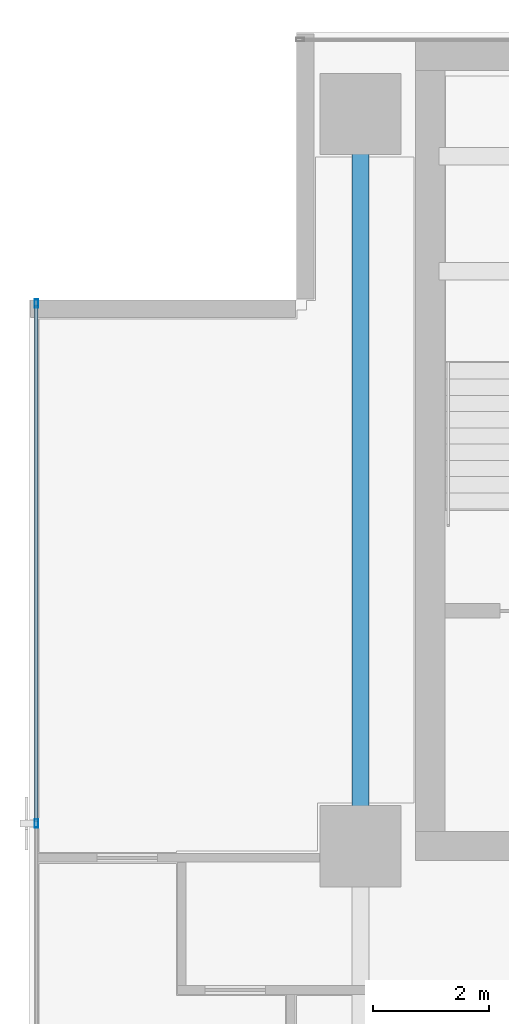
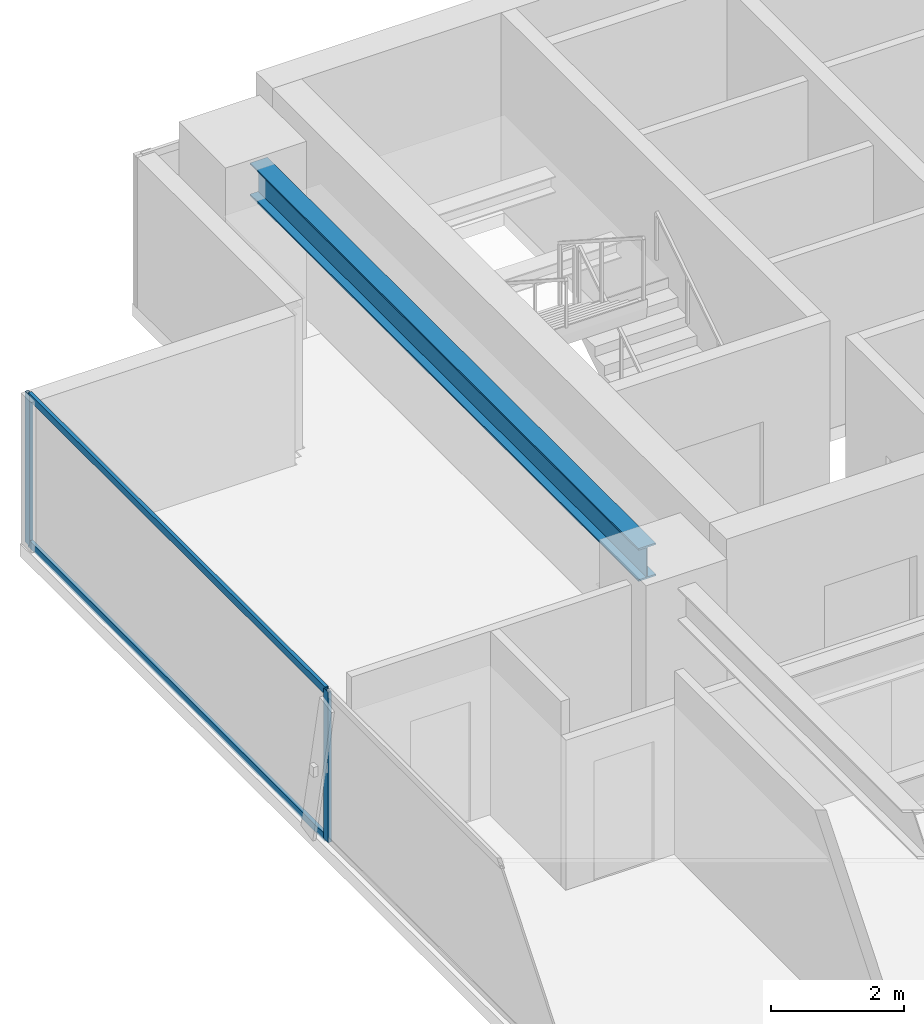
# One storey, part 9 of 26: 4 members, 1 beam, 1 element without a shape of its own.
"""IFC4 building model written with IfcOpenShell, lengths in metres."""

from ifc_helpers import new_model, si_unit, direction, frame, origin, origin_2d, place, context, subcontext, project, spatial, hollow_rectangle, i_section, extrude, source, transform, mapped, material, layer, layer_set, material_profile, profile_set, type_object, element, aggregate, save


model = new_model("IFC4")

# Units and contexts
model_context = context("Model", 3, precision=1e-05, world=origin(), true_north=direction((0.0, 1.0)))
body_context = subcontext(model_context, "Body", "Model", "MODEL_VIEW")
ifc_project = project(units=[si_unit("LENGTHUNIT", "METRE"), si_unit("AREAUNIT", "SQUARE_METRE"), si_unit("VOLUMEUNIT", "CUBIC_METRE"), si_unit("PLANEANGLEUNIT", "RADIAN"), si_unit("MASSUNIT", "GRAM", prefix="KILO")], contexts=[model_context])

# Site, building, storey
site_placement = place(None, origin())
site = spatial("IfcSite", under=ifc_project, at=site_placement, CompositionType="ELEMENT")
building_placement = place(site_placement, origin())
building = spatial("IfcBuilding", under=site, at=building_placement, Name="Sumidabori Civic Tower", CompositionType="ELEMENT")
storey_placement = place(building_placement, frame((0.0, 0.0, 250.39990234375)))
storey = spatial("IfcBuildingStorey", under=building, at=storey_placement, Name="L65", CompositionType="ELEMENT", Elevation=250.39990234375)

# Beam
ifc_material_1 = material(Name="Steel SN490", Category="steel")
ifc_material_profile_1 = material_profile(ifc_material_1, i_section(OverallWidth=0.300048828125, OverallDepth=0.60009765625, WebThickness=0.015380859375, FlangeThickness=0.030029296875, at=origin_2d()), Name="HE 600 B")
ifc_profile_set_1 = profile_set([ifc_material_profile_1], Name="Steel SN490")
beam_type = type_object("IfcBeamType", Name="BM-GIRD-600", PredefinedType="BEAM", material=ifc_profile_set_1)
shared_shape_1 = source(origin(), body_context, "Body", "SweptSolid", [
    extrude(i_section(OverallWidth=0.300048828125, OverallDepth=0.60009765625, WebThickness=0.015380859375, FlangeThickness=0.030029296875, at=origin_2d()), origin(), (0.0, 0.0, 1.0), 11.64013671875),
])
beam_placement = place(storey_placement, frame((-16.800048828125, 10.679931640625, 3.070068359375), z_axis=(0.0, 1.0, 0.0), x_axis=(-1.0, 0.0, 0.0)))
element("IfcBeam", 1, at=beam_placement, inside=storey, type_object=beam_type, Name="Primary Girder L65 GY-11", PredefinedType="BEAM", context=body_context, shape_type="MappedRepresentation", body=[
    mapped(shared_shape_1, transform((0.0, 0.0, 0.0), x_axis=(1.0, 0.0, 0.0), y_axis=(0.0, 1.0, 0.0), z_axis=(0.0, 0.0, 1.0), scale=1.0)),
])

# Curtain wall, members
ifc_material_2 = material(Name="Anodised Bronze Aluminium AW-6063-T6", Category="aluminium")
ifc_layer = layer(ifc_material_2, 0.179931640625, Name="Anodised Bronze Aluminium AW-6063-T6")
ifc_layer_set = layer_set([ifc_layer], Name="Anodised Bronze Aluminium AW-6063-T6")
curtain_wall_type = type_object("IfcCurtainWallType", Name="CW-SYS-5", PredefinedType="NOTDEFINED", material=ifc_layer_set)
curtain_wall_placement = place(storey_placement, origin())
curtain_wall = element("IfcCurtainWall", 2, at=curtain_wall_placement, inside=storey, type_object=curtain_wall_type, Name="Curtain Wall CW:L65:R10", PredefinedType="NOTDEFINED")
ifc_material_profile_2 = material_profile(ifc_material_2, hollow_rectangle(XDim=0.06005859375, YDim=0.139892578125, WallThickness=0.0048828125, at=origin_2d()), Name="ALU MULLION 140x60")
ifc_profile_set_2 = profile_set([ifc_material_profile_2], Name="Anodised Bronze Aluminium AW-6063-T6")
member_type_1 = type_object("IfcMemberType", Name="CW-MUL-140", PredefinedType="MULLION", material=ifc_profile_set_2)
shared_shape_2 = source(origin(), body_context, "Body", "SweptSolid", [
    extrude(hollow_rectangle(XDim=0.06005859375, YDim=0.139892578125, WallThickness=0.0048828125, at=origin_2d()), origin(), (0.0, 0.0, 1.0), 2.75),
])
member_1_placement = place(storey_placement, frame((-22.3798828125, 19.5400390625, 0.0), z_axis=(0.0, 0.0, 1.0), x_axis=(1.0, 0.0, 0.0)))
member_1 = element("IfcMember", 3, at=member_1_placement, type_object=member_type_1, Name="CW-5 mullion 1", PredefinedType="MULLION", context=body_context, shape_type="MappedRepresentation", body=[
    mapped(shared_shape_2, transform((0.0, 0.0, 0.0), x_axis=(1.0, 0.0, 0.0), y_axis=(0.0, 1.0, 0.0), z_axis=(0.0, 0.0, 1.0), scale=1.0)),
])
member_2_placement = place(storey_placement, frame((-22.3798828125, 10.590087890625, 0.0), z_axis=(0.0, 0.0, 1.0), x_axis=(1.0, 0.0, 0.0)))
member_2 = element("IfcMember", 4, at=member_2_placement, type_object=member_type_1, Name="CW-5 mullion 2", PredefinedType="MULLION", context=body_context, shape_type="MappedRepresentation", body=[
    mapped(shared_shape_2, transform((0.0, 0.0, 0.0), x_axis=(1.0, 0.0, 0.0), y_axis=(0.0, 1.0, 0.0), z_axis=(0.0, 0.0, 1.0), scale=1.0)),
])
ifc_material_profile_3 = material_profile(ifc_material_2, hollow_rectangle(XDim=0.06005859375, YDim=0.1298828125, WallThickness=0.0048828125, at=origin_2d()), Name="ALU TRANSOM 130x60")
ifc_profile_set_3 = profile_set([ifc_material_profile_3], Name="Anodised Bronze Aluminium AW-6063-T6")
member_type_2 = type_object("IfcMemberType", Name="CW-TRN-130", PredefinedType="USERDEFINED", material=ifc_profile_set_3)
shared_shape_3 = source(origin(), body_context, "Body", "SweptSolid", [
    extrude(hollow_rectangle(XDim=0.06005859375, YDim=0.1298828125, WallThickness=0.0048828125, at=origin_2d()), origin(), (0.0, 0.0, 1.0), 8.889892578125),
])
member_3_placement = place(storey_placement, frame((-22.3798828125, 19.510009765625, 0.030029296875), z_axis=(0.0, -1.0, 0.0), x_axis=(1.0, 0.0, 0.0)))
member_3 = element("IfcMember", 5, at=member_3_placement, type_object=member_type_2, Name="CW-5 transom 1.1", ObjectType="TRANSOM", PredefinedType="USERDEFINED", context=body_context, shape_type="MappedRepresentation", body=[
    mapped(shared_shape_3, transform((0.0, 0.0, 0.0), x_axis=(1.0, 0.0, 0.0), y_axis=(0.0, 1.0, 0.0), z_axis=(0.0, 0.0, 1.0), scale=1.0)),
])
member_4_placement = place(storey_placement, frame((-22.3798828125, 19.510009765625, 2.72021484375), z_axis=(0.0, -1.0, 0.0), x_axis=(1.0, 0.0, 0.0)))
member_4 = element("IfcMember", 6, at=member_4_placement, type_object=member_type_2, Name="CW-5 transom 1.2", ObjectType="TRANSOM", PredefinedType="USERDEFINED", context=body_context, shape_type="MappedRepresentation", body=[
    mapped(shared_shape_3, transform((0.0, 0.0, 0.0), x_axis=(1.0, 0.0, 0.0), y_axis=(0.0, 1.0, 0.0), z_axis=(0.0, 0.0, 1.0), scale=1.0)),
])
aggregate(curtain_wall, [member_1, member_2, member_3, member_4])

save(model, "model.ifc")
